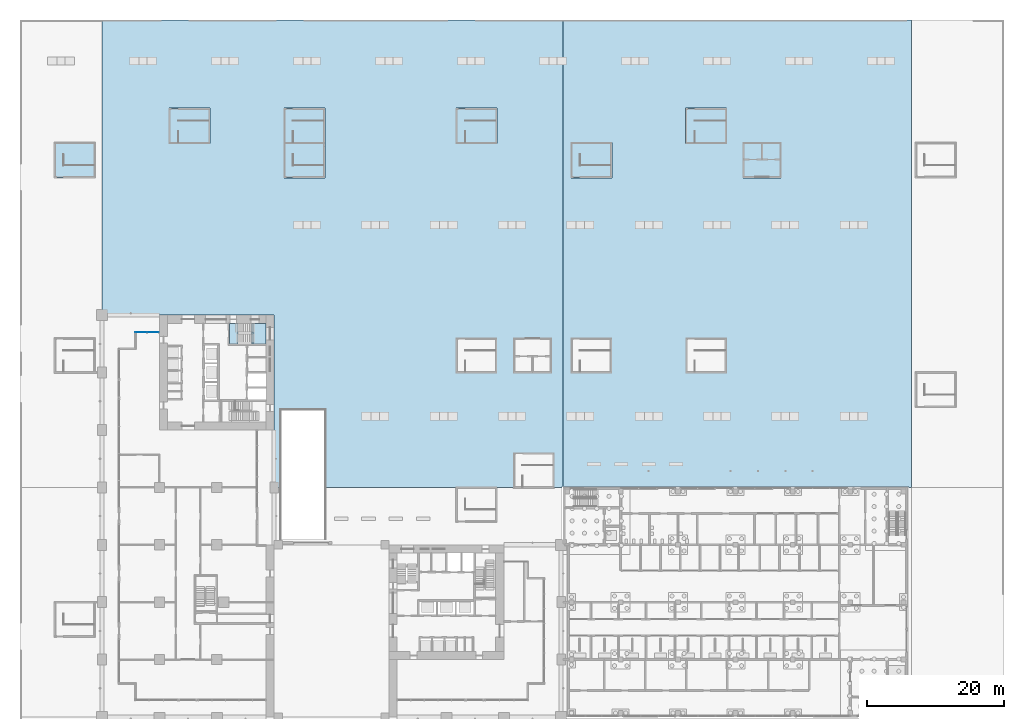
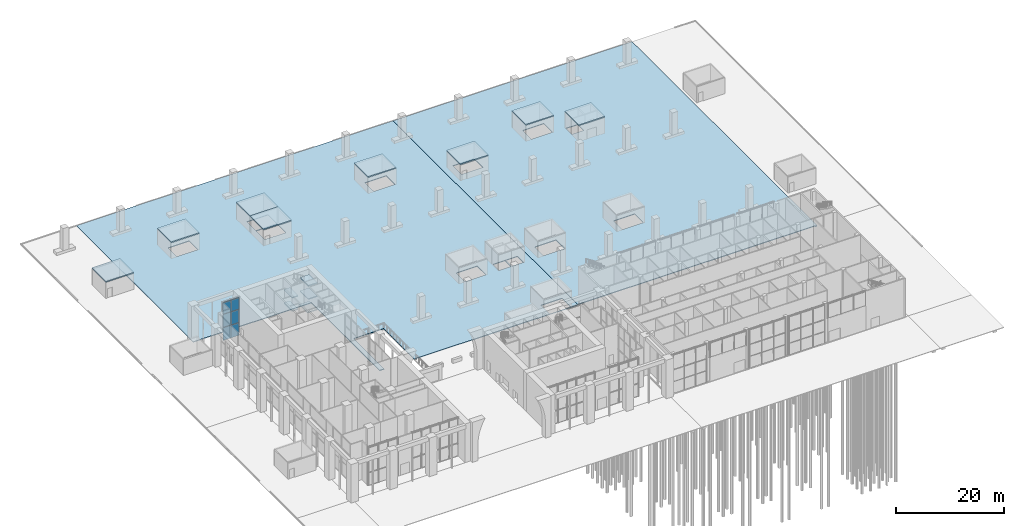
# One storey, part 17 of 46: 15 slabs, 6 plates, 2 elements without a shape of their own.
"""IFC4 building model written with IfcOpenShell, lengths in metres."""

from ifc_helpers import new_model, si_unit, direction, frame, origin, origin_2d, place, context, subcontext, project, spatial, polyline, rectangle, outline, extrude, material, layer, layer_set, type_object, element, aggregate, save


model = new_model("IFC4")

# Units and contexts
model_context = context("Model", 3, precision=1e-05, world=origin(), true_north=direction((0.0, 1.0)))
body_context = subcontext(model_context, "Body", "Model", "MODEL_VIEW")
ifc_project = project(units=[si_unit("LENGTHUNIT", "METRE"), si_unit("AREAUNIT", "SQUARE_METRE"), si_unit("VOLUMEUNIT", "CUBIC_METRE"), si_unit("PLANEANGLEUNIT", "RADIAN"), si_unit("MASSUNIT", "GRAM", prefix="KILO")], contexts=[model_context])

# Site, building, storey
site_placement = place(None, origin())
site = spatial("IfcSite", under=ifc_project, at=site_placement, CompositionType="ELEMENT")
building_placement = place(site_placement, origin())
building = spatial("IfcBuilding", under=site, at=building_placement, Name="Vermilion Gate Residences", CompositionType="ELEMENT")
storey_placement = place(building_placement, origin())
storey = spatial("IfcBuildingStorey", under=building, at=storey_placement, Name="L00", CompositionType="ELEMENT", Elevation=0.0)

# Slabs
ifc_material_1 = material(Name="Concrete C30", Category="concrete")
ifc_layer_1 = layer(ifc_material_1, 0.25)
ifc_layer_set_1 = layer_set([ifc_layer_1], Name="HOUSE ROOF 250 (AMENITY)")
slab_type_1 = type_object("IfcSlabType", Name="HOUSE ROOF 250 (AMENITY)", PredefinedType="ROOF", material=ifc_layer_set_1)
slab_1_placement = place(storey_placement, frame((0.0, 0.0, 3.60009765625)))
element("IfcSlab", 1, at=slab_1_placement, inside=storey, type_object=slab_type_1, Name="House roof 7", PredefinedType="ROOF", context=body_context, shape_type="SweptSolid", body=[
    extrude(outline(polyline([(-7.0, 78.89990234375), (-7.0, 84.10009765625), (-1.0, 84.10009765625), (-1.0, 78.89990234375), (-7.0, 78.89990234375)])), origin(), (0.0, 0.0, 1.0), 0.25),
])
slab_2_placement = place(storey_placement, frame((0.0, 0.0, 3.60009765625)))
element("IfcSlab", 2, at=slab_2_placement, inside=storey, type_object=slab_type_1, Name="House roof 8", PredefinedType="ROOF", context=body_context, shape_type="SweptSolid", body=[
    extrude(outline(polyline([(9.800048828125, 83.89990234375), (9.800048828125, 89.10009765625), (15.800048828125, 89.10009765625), (15.800048828125, 83.89990234375), (9.800048828125, 83.89990234375)])), origin(), (0.0, 0.0, 1.0), 0.25),
])
slab_3_placement = place(storey_placement, frame((0.0, 0.0, 3.60009765625)))
element("IfcSlab", 3, at=slab_3_placement, inside=storey, type_object=slab_type_1, Name="House roof 9", PredefinedType="ROOF", context=body_context, shape_type="SweptSolid", body=[
    extrude(outline(polyline([(26.60009765625, 83.89990234375), (26.60009765625, 89.10009765625), (32.60009765625, 89.10009765625), (32.60009765625, 83.89990234375), (26.60009765625, 83.89990234375)])), origin(), (0.0, 0.0, 1.0), 0.25),
])
slab_4_placement = place(storey_placement, frame((0.0, 0.0, 3.60009765625)))
element("IfcSlab", 4, at=slab_4_placement, inside=storey, type_object=slab_type_1, Name="House roof 10", PredefinedType="ROOF", context=body_context, shape_type="SweptSolid", body=[
    extrude(outline(polyline([(26.60009765625, 78.89990234375), (26.60009765625, 83.89990234375), (32.60009765625, 83.89990234375), (32.60009765625, 78.89990234375), (26.60009765625, 78.89990234375)])), origin(), (0.0, 0.0, 1.0), 0.25),
])
slab_5_placement = place(storey_placement, frame((0.0, 0.0, 3.60009765625)))
element("IfcSlab", 5, at=slab_5_placement, inside=storey, type_object=slab_type_1, Name="House roof 11", PredefinedType="ROOF", context=body_context, shape_type="SweptSolid", body=[
    extrude(outline(polyline([(68.60009765625, 78.89990234375), (68.60009765625, 84.10009765625), (74.60009765625, 84.10009765625), (74.60009765625, 78.89990234375), (68.60009765625, 78.89990234375)])), origin(), (0.0, 0.0, 1.0), 0.25),
])
slab_6_placement = place(storey_placement, frame((0.0, 0.0, 3.60009765625)))
element("IfcSlab", 6, at=slab_6_placement, inside=storey, type_object=slab_type_1, Name="House roof 12", PredefinedType="ROOF", context=body_context, shape_type="SweptSolid", body=[
    extrude(outline(polyline([(51.800048828125, 83.89990234375), (51.800048828125, 89.10009765625), (57.800048828125, 89.10009765625), (57.800048828125, 83.89990234375), (51.800048828125, 83.89990234375)])), origin(), (0.0, 0.0, 1.0), 0.25),
])
slab_7_placement = place(storey_placement, frame((0.0, 0.0, 3.60009765625)))
element("IfcSlab", 7, at=slab_7_placement, inside=storey, type_object=slab_type_1, Name="House roof 14", PredefinedType="ROOF", context=body_context, shape_type="SweptSolid", body=[
    extrude(outline(polyline([(85.39990234375, 83.89990234375), (85.39990234375, 89.10009765625), (91.39990234375, 89.10009765625), (91.39990234375, 83.89990234375), (85.39990234375, 83.89990234375)])), origin(), (0.0, 0.0, 1.0), 0.25),
])
slab_8_placement = place(storey_placement, frame((0.0, 0.0, 3.60009765625)))
element("IfcSlab", 8, at=slab_8_placement, inside=storey, type_object=slab_type_1, Name="House roof 18", PredefinedType="ROOF", context=body_context, shape_type="SweptSolid", body=[
    extrude(outline(polyline([(93.800048828125, 78.89990234375), (93.800048828125, 84.10009765625), (99.39990234375, 84.10009765625), (99.39990234375, 78.89990234375), (93.800048828125, 78.89990234375)])), origin(), (0.0, 0.0, 1.0), 0.25),
])

# Curtain wall, plates
ifc_material_2 = material(Name="Aluminium and glass", Category="aluminium")
curtain_wall_type = type_object("IfcCurtainWallType", Name="LOBBY ENTRANCE GLAZING CURTAIN WALL", PredefinedType="NOTDEFINED", material=ifc_material_2)
curtain_wall_placement = place(storey_placement, origin())
curtain_wall = element("IfcCurtainWall", 9, at=curtain_wall_placement, inside=storey, type_object=curtain_wall_type, Name="Lobby Entrance Glazing 0", PredefinedType="NOTDEFINED")
ifc_material_3 = material(Name="Low-iron laminated glass", Category="glass")
ifc_layer_2 = layer(ifc_material_3, 0.035888671875)
ifc_layer_set_2 = layer_set([ifc_layer_2], Name="LOBBY ENTRANCE GLAZING GLASS PANEL 36")
plate_type = type_object("IfcPlateType", Name="LOBBY ENTRANCE GLAZING GLASS PANEL 36", PredefinedType="CURTAIN_PANEL", material=ifc_layer_set_2)
plate_1_placement = place(storey_placement, frame((7.47998046875, 56.300048828125, 0.080078125), z_axis=(0.0, 0.0, 1.0), x_axis=(-1.0, 0.0, 0.0)))
plate_1 = element("IfcPlate", 10, at=plate_1_placement, type_object=plate_type, Name="ECW5 panel 1.1", PredefinedType="CURTAIN_PANEL", context=body_context, shape_type="SweptSolid", body=[
    extrude(rectangle(XDim=1.679931640625, YDim=0.035888671875, at=origin_2d()), origin(), (0.0, 0.0, 1.0), 2.8798828125),
])
plate_2_placement = place(storey_placement, frame((7.47998046875, 56.300048828125, 3.0400390625), z_axis=(0.0, 0.0, 1.0), x_axis=(-1.0, 0.0, 0.0)))
plate_2 = element("IfcPlate", 11, at=plate_2_placement, type_object=plate_type, Name="ECW5 panel 1.2", PredefinedType="CURTAIN_PANEL", context=body_context, shape_type="SweptSolid", body=[
    extrude(rectangle(XDim=1.679931640625, YDim=0.035888671875, at=origin_2d()), origin(), (0.0, 0.0, 1.0), 2.919921875),
])
plate_3_placement = place(storey_placement, frame((7.47998046875, 56.300048828125, 6.0400390625), z_axis=(0.0, 0.0, 1.0), x_axis=(-1.0, 0.0, 0.0)))
plate_3 = element("IfcPlate", 12, at=plate_3_placement, type_object=plate_type, Name="ECW5 panel 1.3", PredefinedType="CURTAIN_PANEL", context=body_context, shape_type="SweptSolid", body=[
    extrude(rectangle(XDim=1.679931640625, YDim=0.035888671875, at=origin_2d()), origin(), (0.0, 0.0, 1.0), 2.580078125),
])
plate_4_placement = place(storey_placement, frame((5.719970703125, 56.300048828125, 0.080078125), z_axis=(0.0, 0.0, 1.0), x_axis=(-1.0, 0.0, 0.0)))
plate_4 = element("IfcPlate", 13, at=plate_4_placement, type_object=plate_type, Name="ECW5 panel 2.1", PredefinedType="CURTAIN_PANEL", context=body_context, shape_type="SweptSolid", body=[
    extrude(rectangle(XDim=1.679931640625, YDim=0.035888671875, at=origin_2d()), origin(), (0.0, 0.0, 1.0), 2.8798828125),
])
plate_5_placement = place(storey_placement, frame((5.719970703125, 56.300048828125, 3.0400390625), z_axis=(0.0, 0.0, 1.0), x_axis=(-1.0, 0.0, 0.0)))
plate_5 = element("IfcPlate", 14, at=plate_5_placement, type_object=plate_type, Name="ECW5 panel 2.2", PredefinedType="CURTAIN_PANEL", context=body_context, shape_type="SweptSolid", body=[
    extrude(rectangle(XDim=1.679931640625, YDim=0.035888671875, at=origin_2d()), origin(), (0.0, 0.0, 1.0), 2.919921875),
])
plate_6_placement = place(storey_placement, frame((5.719970703125, 56.300048828125, 6.0400390625), z_axis=(0.0, 0.0, 1.0), x_axis=(-1.0, 0.0, 0.0)))
plate_6 = element("IfcPlate", 15, at=plate_6_placement, type_object=plate_type, Name="ECW5 panel 2.3", PredefinedType="CURTAIN_PANEL", context=body_context, shape_type="SweptSolid", body=[
    extrude(rectangle(XDim=1.679931640625, YDim=0.035888671875, at=origin_2d()), origin(), (0.0, 0.0, 1.0), 2.580078125),
])
aggregate(curtain_wall, [plate_1, plate_2, plate_3, plate_4, plate_5, plate_6])

# Slabs
ifc_material_4 = material(Name="Concrete C35", Category="concrete")
ifc_layer_3 = layer(ifc_material_4, 0.14990234375)
ifc_layer_set_3 = layer_set([ifc_layer_3], Name="PLAZA PAVING 150 C35 (MARKET HALL)")
slab_type_2 = type_object("IfcSlabType", Name="PLAZA PAVING 150 C35 (MARKET HALL)", PredefinedType="USERDEFINED", material=ifc_layer_set_3)
slab_9_placement = place(storey_placement, frame((0.0, 0.0, -0.14990234375)))
element("IfcSlab", 16, at=slab_9_placement, inside=storey, type_object=slab_type_2, Name="Plaza paving 11 (north plaza)", ObjectType="PAVING", PredefinedType="USERDEFINED", context=body_context, shape_type="SweptSolid", body=[
    extrude(outline(polyline([(67.5, 102.0), (0.0, 102.0), (0.0, 58.800048828125), (8.39990234375, 58.800048828125), (16.800048828125, 58.800048828125), (25.199951171875, 58.800048828125), (25.199951171875, 50.39990234375), (25.199951171875, 42.0), (25.199951171875, 33.60009765625), (26.199951171875, 33.60009765625), (26.199951171875, 44.89990234375), (32.60009765625, 44.89990234375), (32.60009765625, 33.60009765625), (67.35009765625, 33.60009765625), (67.35009765625, 33.75), (67.5, 33.75), (67.5, 102.0)]), holes=[polyline([(57.60009765625, 53.699951171875), (57.60009765625, 50.5), (53.10009765625, 50.5), (53.10009765625, 53.699951171875), (57.60009765625, 53.699951171875)]), polyline([(27.89990234375, 83.89990234375), (32.39990234375, 83.89990234375), (32.39990234375, 80.699951171875), (27.89990234375, 80.699951171875), (27.89990234375, 83.89990234375)]), polyline([(11.10009765625, 87.300048828125), (15.60009765625, 87.300048828125), (15.60009765625, 84.10009765625), (11.10009765625, 84.10009765625), (11.10009765625, 87.300048828125)]), polyline([(32.39990234375, 87.300048828125), (32.39990234375, 84.10009765625), (27.89990234375, 84.10009765625), (27.89990234375, 87.300048828125), (32.39990234375, 87.300048828125)]), polyline([(57.60009765625, 87.300048828125), (57.60009765625, 84.10009765625), (53.10009765625, 84.10009765625), (53.10009765625, 87.300048828125), (57.60009765625, 87.300048828125)]), polyline([(61.5, 36.89990234375), (66.0, 36.89990234375), (66.0, 33.699951171875), (61.5, 33.699951171875), (61.5, 36.89990234375)]), polyline([(60.39990234375, 52.699951171875), (62.89990234375, 52.699951171875), (62.89990234375, 50.5), (60.39990234375, 50.5), (60.39990234375, 52.699951171875)]), polyline([(65.60009765625, 52.699951171875), (65.60009765625, 50.5), (63.10009765625, 50.5), (63.10009765625, 52.699951171875), (65.60009765625, 52.699951171875)])]), origin(), (0.0, 0.0, 1.0), 0.14990234375),
])
slab_10_placement = place(storey_placement, frame((0.0, 0.0, -0.14990234375)))
element("IfcSlab", 17, at=slab_10_placement, inside=storey, type_object=slab_type_2, Name="Plaza paving 12 (north-east plaza)", ObjectType="PAVING", PredefinedType="USERDEFINED", context=body_context, shape_type="SweptSolid", body=[
    extrude(outline(polyline([(118.5, 102.0), (67.5, 102.0), (67.5, 33.75), (118.050048828125, 33.75), (118.050048828125, 33.60009765625), (118.5, 33.60009765625), (118.5, 102.0)]), holes=[polyline([(74.39990234375, 53.699951171875), (74.39990234375, 50.5), (69.89990234375, 50.5), (69.89990234375, 53.699951171875), (74.39990234375, 53.699951171875)]), polyline([(86.699951171875, 53.699951171875), (91.199951171875, 53.699951171875), (91.199951171875, 50.5), (86.699951171875, 50.5), (86.699951171875, 53.699951171875)]), polyline([(69.89990234375, 83.89990234375), (74.39990234375, 83.89990234375), (74.39990234375, 80.699951171875), (69.89990234375, 80.699951171875), (69.89990234375, 83.89990234375)]), polyline([(96.5, 83.89990234375), (96.5, 81.699951171875), (94.0, 81.699951171875), (94.0, 83.89990234375), (96.5, 83.89990234375)]), polyline([(91.199951171875, 87.300048828125), (91.199951171875, 84.10009765625), (86.699951171875, 84.10009765625), (86.699951171875, 87.300048828125), (91.199951171875, 87.300048828125)])]), origin(), (0.0, 0.0, 1.0), 0.14990234375),
])

# Stair, slabs
ifc_material_5 = material(Name="Concrete C50", Category="concrete")
stair_type = type_object("IfcStairType", Name="SPECIAL ESCAPE STAIR 1300", PredefinedType="HALF_TURN_STAIR", material=ifc_material_5)
stair_placement = place(storey_placement, origin())
stair = element("IfcStair", 18, at=stair_placement, inside=storey, type_object=stair_type, Name="Special escape stair STB1-00", PredefinedType="HALF_TURN_STAIR")
ifc_material_6 = material(Name="Concrete C50", Category="concrete")
ifc_layer_4 = layer(ifc_material_6, 0.199951171875)
ifc_layer_set_4 = layer_set([ifc_layer_4], Name="STAIR LANDING 200 C50")
slab_type_3 = type_object("IfcSlabType", Name="STAIR LANDING 200 C50", PredefinedType="LANDING", material=ifc_layer_set_4)
slab_11_placement = place(storey_placement, frame((0.0, 0.0, 1.300048828125)))
slab_11 = element("IfcSlab", 19, at=slab_11_placement, type_object=slab_type_3, Name="STB1-00 landing 1", PredefinedType="LANDING", context=body_context, shape_type="SweptSolid", body=[
    extrude(outline(polyline([(24.02001953125, 54.580078125), (24.02001953125, 57.6201171875), (21.909912109375, 57.6201171875), (21.909912109375, 54.580078125), (24.02001953125, 54.580078125)])), origin(), (0.0, 0.0, 1.0), 0.199951171875),
])
slab_12_placement = place(storey_placement, frame((0.0, 0.0, 2.800048828125)))
slab_12 = element("IfcSlab", 20, at=slab_12_placement, type_object=slab_type_3, Name="STB1-00 landing 2", PredefinedType="LANDING", context=body_context, shape_type="SweptSolid", body=[
    extrude(outline(polyline([(19.929931640625, 54.580078125), (19.929931640625, 57.6201171875), (18.6298828125, 57.6201171875), (18.6298828125, 54.580078125), (19.929931640625, 54.580078125)])), origin(), (0.0, 0.0, 1.0), 0.199951171875),
])
slab_13_placement = place(storey_placement, frame((0.0, 0.0, 4.300048828125)))
slab_13 = element("IfcSlab", 21, at=slab_13_placement, type_object=slab_type_3, Name="STB1-00 landing 3", PredefinedType="LANDING", context=body_context, shape_type="SweptSolid", body=[
    extrude(outline(polyline([(24.02001953125, 54.580078125), (24.02001953125, 57.6201171875), (22.090087890625, 57.6201171875), (22.090087890625, 54.580078125), (24.02001953125, 54.580078125)])), origin(), (0.0, 0.0, 1.0), 0.199951171875),
])
slab_14_placement = place(storey_placement, frame((0.0, 0.0, 5.800048828125)))
slab_14 = element("IfcSlab", 22, at=slab_14_placement, type_object=slab_type_3, Name="STB1-00 landing 4", PredefinedType="LANDING", context=body_context, shape_type="SweptSolid", body=[
    extrude(outline(polyline([(19.929931640625, 54.580078125), (19.929931640625, 57.6201171875), (18.6298828125, 57.6201171875), (18.6298828125, 54.580078125), (19.929931640625, 54.580078125)])), origin(), (0.0, 0.0, 1.0), 0.199951171875),
])
slab_15_placement = place(storey_placement, frame((0.0, 0.0, 7.300048828125)))
slab_15 = element("IfcSlab", 23, at=slab_15_placement, type_object=slab_type_3, Name="STB1-00 landing 5", PredefinedType="LANDING", context=body_context, shape_type="SweptSolid", body=[
    extrude(outline(polyline([(24.02001953125, 54.580078125), (24.02001953125, 57.6201171875), (22.090087890625, 57.6201171875), (22.090087890625, 54.580078125), (24.02001953125, 54.580078125)])), origin(), (0.0, 0.0, 1.0), 0.199951171875),
])
aggregate(stair, [slab_11, slab_12, slab_13, slab_14, slab_15])

save(model, "model.ifc")
